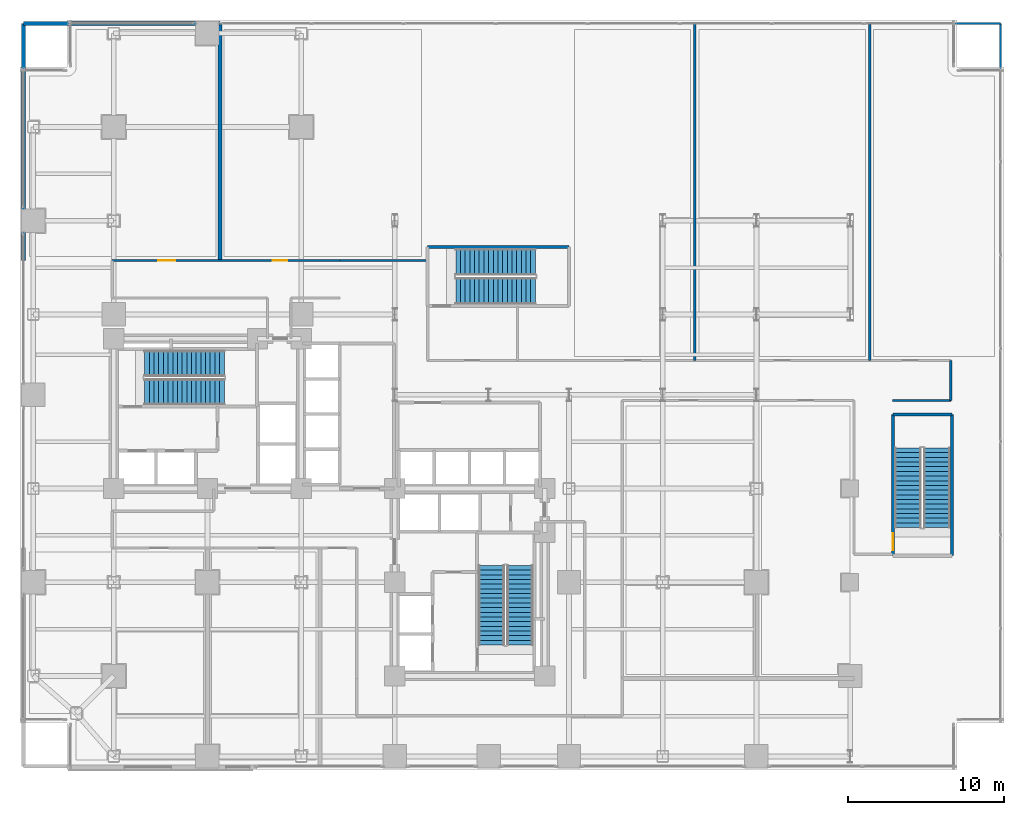
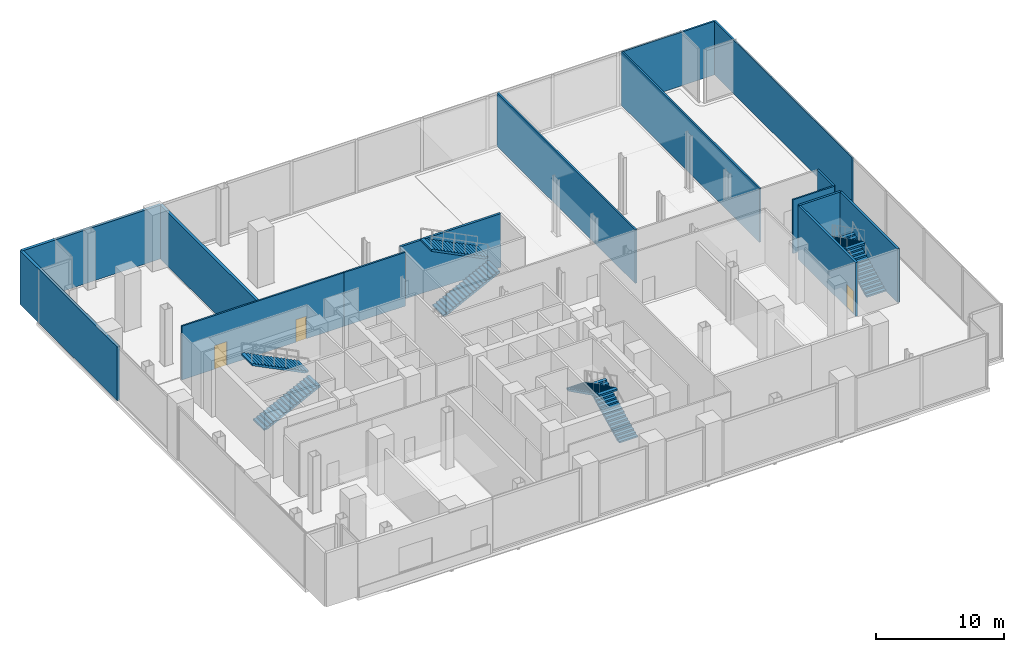
# One storey, part 23 of 27: 15 walls, 8 stair flights, 3 doors, 3 openings, 4 elements without a shape of their own.
"""IFC4 building model written with IfcOpenShell, lengths in metres."""

from ifc_helpers import new_model, si_unit, direction, frame, frame_2d, origin, place, context, subcontext, project, spatial, polyline, rectangle, outline, extrude, material, layer, layer_set, type_object, element, fill, aggregate, save


model = new_model("IFC4")

# Units and contexts
model_context = context("Model", 3, precision=1e-05, world=origin(), true_north=direction((0.0, 1.0)))
body_context = subcontext(model_context, "Body", "Model", "MODEL_VIEW")
ifc_project = project(units=[si_unit("LENGTHUNIT", "METRE"), si_unit("AREAUNIT", "SQUARE_METRE"), si_unit("VOLUMEUNIT", "CUBIC_METRE"), si_unit("PLANEANGLEUNIT", "RADIAN"), si_unit("MASSUNIT", "GRAM", prefix="KILO"), si_unit("THERMODYNAMICTEMPERATUREUNIT", "KELVIN"), si_unit("POWERUNIT", "WATT")], contexts=[model_context])

# Site, building, storey
site_placement = place(None, origin())
site = spatial("IfcSite", under=ifc_project, at=site_placement, CompositionType="ELEMENT")
building_placement = place(site_placement, origin())
building = spatial("IfcBuilding", under=site, at=building_placement, Name="Svarakhadi Broadcast Tower", CompositionType="ELEMENT")
storey_placement = place(building_placement, frame((0.0, 0.0, 5.699951171875)))
storey = spatial("IfcBuildingStorey", under=building, at=storey_placement, Name="L01", CompositionType="ELEMENT", Elevation=5.699951171875)

# Walls
ifc_material_1 = material(Name="Double-Stud Acoustic Studio Partition STC-62", Category="gypsum")
ifc_layer_1 = layer(ifc_material_1, 0.25)
ifc_layer_set_1 = layer_set([ifc_layer_1], Name="Double-Stud Acoustic Studio Partition STC-62")
wall_type_1 = type_object("IfcWallType", Name="Wall_Acoust_250", PredefinedType="PARTITIONING", material=ifc_layer_set_1)
wall_1_placement = place(storey_placement, frame((0.219970703125, 47.780029296875, 0.0), z_axis=(0.0, 0.0, 1.0), x_axis=(1.0, 0.0, 0.0)))
element("IfcWall", 1, at=wall_1_placement, inside=storey, type_object=wall_type_1, Name="L01 L01 Television Drama Studio B Wall", PredefinedType="PARTITIONING", context=body_context, shape_type="SweptSolid", body=[
    extrude(rectangle(XDim=12.580078125, YDim=0.25, at=frame_2d((6.2900390625, 0.0))), origin(), (0.0, 0.0, 1.0), 5.125),
])
for number, where, z_axis, x_axis, name in (
    (2, (0.219970703125, 32.60009765625, 0.0), (0.0, 0.0, 1.0), (0.0, 1.0, 0.0), "L01 L01 Television Drama Studio B Wall"),
    (3, (12.800048828125, 32.60009765625, 0.0), (0.0, 0.0, 1.0), (0.0, 1.0, 0.0), "L01 L01 Television Drama Studio B Wall"),
):
    element("IfcWall", number, at=place(storey_placement, frame(where, z_axis=z_axis, x_axis=x_axis)), inside=storey, type_object=wall_type_1, Name=name, PredefinedType="PARTITIONING", context=body_context, shape_type="SweptSolid", body=[
        extrude(rectangle(XDim=15.179931640625, YDim=0.25, at=frame_2d((7.58984375, 0.0))), origin(), (0.0, 0.0, 1.0), 5.125),
    ])

# Wall, openings, doors
ifc_material_2 = material(Name="Autoclaved Aerated Concrete Blockwork 150 mm", Category="masonry")
ifc_layer_2 = layer(ifc_material_2, 0.14990234375)
ifc_layer_set_2 = layer_set([ifc_layer_2], Name="Autoclaved Aerated Concrete Blockwork 150 mm")
wall_type_2 = type_object("IfcWallType", Name="Wall_Part_150", PredefinedType="PARTITIONING", material=ifc_layer_set_2)
wall_2_placement = place(storey_placement, frame((5.89990234375, 32.60009765625, 0.0), z_axis=(0.0, 0.0, 1.0), x_axis=(1.0, 0.0, 0.0)))
wall_2 = element("IfcWall", 4, at=wall_2_placement, inside=storey, type_object=wall_type_2, Name="L01 Podium Gallery Wall", PredefinedType="PARTITIONING", context=body_context, shape_type="SweptSolid", body=[
    extrude(rectangle(XDim=14.60009765625, YDim=0.14990234375, at=frame_2d((7.300048828125, 0.0))), origin(), (0.0, 0.0, 1.0), 5.125),
])
opening_1_placement = place(wall_2_placement, frame((2.949951171875, 0.0, 0.0)))
opening_1 = element("IfcOpeningElement", 5, at=opening_1_placement, cuts=wall_2, Name="Opening D-11", PredefinedType="OPENING", context=body_context, shape_type="SweptSolid", body=[
    extrude(rectangle(XDim=1.10009765625, YDim=2.25, at=frame_2d((0.550048828125, 1.125))), frame((0.0, 0.0849609375, 0.0), z_axis=(0.0, -1.0, 0.0), x_axis=(1.0, 0.0, 0.0)), (0.0, 0.0, 1.0), 0.169921875),
])
opening_2_placement = place(wall_2_placement, frame((10.27490234375, 0.0, 0.0)))
opening_2 = element("IfcOpeningElement", 6, at=opening_2_placement, cuts=wall_2, Name="Opening D-06", PredefinedType="OPENING", context=body_context, shape_type="SweptSolid", body=[
    extrude(rectangle(XDim=0.949951171875, YDim=2.14990234375, at=frame_2d((0.47509765625, 1.074951171875))), frame((0.0, 0.0849609375, 0.0), z_axis=(0.0, -1.0, 0.0), x_axis=(1.0, 0.0, 0.0)), (0.0, 0.0, 1.0), 0.169921875),
])
ifc_material_3 = material(Name="Solid-Core Teak Veneer Acoustic Timber Leaf", Category="wood")
door_type_1 = type_object("IfcDoorType", Name="Door_Acoust_D11", OperationType="SINGLE_SWING_RIGHT", PredefinedType="DOOR", material=ifc_material_3)
door_1_placement = place(opening_1_placement, origin())
door_1 = element("IfcDoor", 7, at=door_1_placement, inside=storey, type_object=door_type_1, Name="L01 L01 Television Drama Studio B Door", OperationType="SINGLE_SWING_RIGHT", OverallHeight=2.25, OverallWidth=1.10009765625, PredefinedType="DOOR", context=body_context, shape_type="SweptSolid", body=[
    extrude(rectangle(XDim=1.10009765625, YDim=2.25, at=frame_2d((0.550048828125, 1.125))), frame((0.0, 0.02490234375, 0.0), z_axis=(0.0, -1.0, 0.0), x_axis=(1.0, 0.0, 0.0)), (0.0, 0.0, 1.0), 0.050048828125),
])
fill(opening_1, door_1)
door_type_2 = type_object("IfcDoorType", Name="Door_Office_D06", OperationType="SINGLE_SWING_LEFT", PredefinedType="DOOR", material=ifc_material_3)
door_2_placement = place(opening_2_placement, origin())
door_2 = element("IfcDoor", 8, at=door_2_placement, inside=storey, type_object=door_type_2, Name="L01 L01 Scenic Prop Storage Room Door", OperationType="SINGLE_SWING_LEFT", OverallHeight=2.14990234375, OverallWidth=0.949951171875, PredefinedType="DOOR", context=body_context, shape_type="SweptSolid", body=[
    extrude(rectangle(XDim=0.949951171875, YDim=2.14990234375, at=frame_2d((0.47509765625, 1.074951171875))), frame((0.0, 0.02490234375, 0.0), z_axis=(0.0, -1.0, 0.0), x_axis=(1.0, 0.0, 0.0)), (0.0, 0.0, 1.0), 0.050048828125),
])
fill(opening_2, door_2)

# Walls
wall_3_placement = place(storey_placement, frame((20.5, 32.60009765625, 0.0), z_axis=(0.0, 0.0, 1.0), x_axis=(1.0, 0.0, 0.0)))
element("IfcWall", 9, at=wall_3_placement, inside=storey, type_object=wall_type_2, Name="L01 Podium Gallery Wall", PredefinedType="PARTITIONING", context=body_context, shape_type="SweptSolid", body=[
    extrude(rectangle(XDim=5.550048828125, YDim=0.14990234375, at=frame_2d((2.77490234375, 0.0))), origin(), (0.0, 0.0, 1.0), 5.125),
])
wall_4_placement = place(storey_placement, frame((59.60009765625, 26.199951171875, 0.0), z_axis=(0.0, 0.0, 1.0), x_axis=(0.0, -1.0, 0.0)))
element("IfcWall", 10, at=wall_4_placement, inside=storey, type_object=wall_type_2, Name="L01 Podium Gallery Wall", PredefinedType="PARTITIONING", context=body_context, shape_type="SweptSolid", body=[
    extrude(rectangle(XDim=2.56005859375, YDim=0.14990234375, at=frame_2d((1.280029296875, 0.0))), origin(), (0.0, 0.0, 1.0), 5.125),
])
wall_5_placement = place(storey_placement, frame((59.60009765625, 23.639892578125, 0.0), z_axis=(0.0, 0.0, 1.0), x_axis=(-1.0, 0.0, 0.0)))
element("IfcWall", 11, at=wall_5_placement, inside=storey, type_object=wall_type_2, Name="L01 Podium Gallery Wall", PredefinedType="PARTITIONING", context=body_context, shape_type="SweptSolid", body=[
    extrude(rectangle(XDim=3.75, YDim=0.14990234375, at=frame_2d((1.875, 0.0))), origin(), (0.0, 0.0, 1.0), 5.125),
])
for number, where, z_axis, x_axis, name in (
    (12, (43.199951171875, 26.199951171875, 0.0), (0.0, 0.0, 1.0), (0.0, 1.0, 0.0), "L01 L01 Satellite Ingest and Playout Office Wall"),
    (13, (54.39990234375, 26.199951171875, 0.0), (0.0, 0.0, 1.0), (0.0, 1.0, 0.0), "L01 L01 Editorial Conference Room Wall"),
):
    element("IfcWall", number, at=place(storey_placement, frame(where, z_axis=z_axis, x_axis=x_axis)), inside=storey, type_object=wall_type_2, Name=name, PredefinedType="PARTITIONING", context=body_context, shape_type="SweptSolid", body=[
        extrude(rectangle(XDim=21.580078125, YDim=0.14990234375, at=frame_2d((10.7900390625, 0.0))), origin(), (0.0, 0.0, 1.0), 5.125),
    ])
wall_6_placement = place(storey_placement, frame((54.39990234375, 47.780029296875, 0.0), z_axis=(0.0, 0.0, 1.0), x_axis=(1.0, 0.0, 0.0)))
element("IfcWall", 14, at=wall_6_placement, inside=storey, type_object=wall_type_2, Name="L01 L01 Broadcast Technical Operations Office Wall", PredefinedType="PARTITIONING", context=body_context, shape_type="SweptSolid", body=[
    extrude(rectangle(XDim=8.380126953125, YDim=0.14990234375, at=frame_2d((4.18994140625, 0.0))), origin(), (0.0, 0.0, 1.0), 5.125),
])
wall_7_placement = place(storey_placement, frame((62.780029296875, 26.199951171875, 0.0), z_axis=(0.0, 0.0, 1.0), x_axis=(0.0, 1.0, 0.0)))
element("IfcWall", 15, at=wall_7_placement, inside=storey, type_object=wall_type_2, Name="L01 L01 Broadcast Technical Operations Office Wall", PredefinedType="PARTITIONING", context=body_context, shape_type="SweptSolid", body=[
    extrude(rectangle(XDim=21.580078125, YDim=0.14990234375, at=frame_2d((10.7900390625, 0.0))), origin(), (0.0, 0.0, 1.0), 5.125),
])
ifc_material_4 = material(Name="Concrete C50/60 (IS 456 M60)", Category="concrete")
ifc_layer_3 = layer(ifc_material_4, 0.199951171875)
ifc_layer_set_3 = layer_set([ifc_layer_3], Name="Concrete C50/60 (IS 456 M60)")
wall_type_3 = type_object("IfcWallType", Name="Wall_Shear_200", PredefinedType="SHEAR", material=ifc_layer_set_3)
wall_8_placement = place(storey_placement, frame((26.10009765625, 33.4599609375, 0.0), z_axis=(0.0, 0.0, 1.0), x_axis=(1.0, 0.0, 0.0)))
element("IfcWall", 16, at=wall_8_placement, inside=storey, type_object=wall_type_3, Name="L01 Stair ST-03 North RC Shaft Wall", PredefinedType="SHEAR", context=body_context, shape_type="SweptSolid", body=[
    extrude(rectangle(XDim=9.0498046875, YDim=0.199951171875, at=frame_2d((4.52490234375, 0.0))), origin(), (0.0, 0.0, 1.0), 5.125),
])

# Wall, opening, door
wall_9_placement = place(storey_placement, frame((55.89990234375, 13.699951171875, 0.0), z_axis=(0.0, 0.0, 1.0), x_axis=(0.0, 1.0, 0.0)))
wall_9 = element("IfcWall", 17, at=wall_9_placement, inside=storey, type_object=wall_type_3, Name="L01 Stair ST-04 West RC Shaft Wall", PredefinedType="SHEAR", context=body_context, shape_type="SweptSolid", body=[
    extrude(rectangle(XDim=9.050048828125, YDim=0.199951171875, at=frame_2d((4.52490234375, 0.0))), origin(), (0.0, 0.0, 1.0), 5.125),
])
opening_3_placement = place(wall_9_placement, frame((0.35009765625, 0.0, 0.0)))
opening_3 = element("IfcOpeningElement", 18, at=opening_3_placement, cuts=wall_9, Name="Opening D-02", PredefinedType="OPENING", context=body_context, shape_type="SweptSolid", body=[
    extrude(rectangle(XDim=1.10009765625, YDim=2.199951171875, at=frame_2d((0.550048828125, 1.10009765625))), frame((0.0, 0.10986328125, 0.0), z_axis=(0.0, -1.0, 0.0), x_axis=(1.0, 0.0, 0.0)), (0.0, 0.0, 1.0), 0.219970703125),
])
ifc_material_5 = material(Name="Galvanised Powder-Coated Fire-Rated Steel Leaf", Category="steel")
door_type_3 = type_object("IfcDoorType", Name="Door_Stair_D02", OperationType="SINGLE_SWING_RIGHT", PredefinedType="DOOR", material=ifc_material_5)
door_3_placement = place(opening_3_placement, origin())
door_3 = element("IfcDoor", 19, at=door_3_placement, inside=storey, type_object=door_type_3, Name="L01 Podium East Stair ST-04 Fire Door", OperationType="SINGLE_SWING_RIGHT", OverallHeight=2.199951171875, OverallWidth=1.10009765625, PredefinedType="DOOR", context=body_context, shape_type="SweptSolid", body=[
    extrude(rectangle(XDim=1.10009765625, YDim=2.199951171875, at=frame_2d((0.550048828125, 1.10009765625))), frame((0.0, 0.02490234375, 0.0), z_axis=(0.0, -1.0, 0.0), x_axis=(1.0, 0.0, 0.0)), (0.0, 0.0, 1.0), 0.050048828125),
])
fill(opening_3, door_3)

# Walls
wall_10_placement = place(storey_placement, frame((59.659912109375, 13.699951171875, 0.0), z_axis=(0.0, 0.0, 1.0), x_axis=(0.0, 1.0, 0.0)))
element("IfcWall", 20, at=wall_10_placement, inside=storey, type_object=wall_type_3, Name="L01 Stair ST-04 East RC Shaft Wall", PredefinedType="SHEAR", context=body_context, shape_type="SweptSolid", body=[
    extrude(rectangle(XDim=9.050048828125, YDim=0.199951171875, at=frame_2d((4.52490234375, 0.0))), origin(), (0.0, 0.0, 1.0), 5.125),
])
wall_11_placement = place(storey_placement, frame((55.89990234375, 22.75, 0.0), z_axis=(0.0, 0.0, 1.0), x_axis=(1.0, 0.0, 0.0)))
element("IfcWall", 21, at=wall_11_placement, inside=storey, type_object=wall_type_3, Name="L01 Stair ST-04 North RC Shaft Wall", PredefinedType="SHEAR", context=body_context, shape_type="SweptSolid", body=[
    extrude(rectangle(XDim=3.760009765625, YDim=0.199951171875, at=frame_2d((1.8798828125, 0.0))), origin(), (0.0, 0.0, 1.0), 5.125),
])

# Stair, stair flights
ifc_material_6 = material(Name="Concrete C40/50 (IS 456 M50)", Category="concrete")
stair_type_1 = type_object("IfcStairType", Name="Stair_Exit_Core", PredefinedType="HALF_TURN_STAIR", material=ifc_material_6)
stair_1_placement = place(storey_placement, origin())
stair_1 = element("IfcStair", 22, at=stair_1_placement, inside=storey, type_object=stair_type_1, Name="L01 West Core Protected Exit Stair ST-01", PredefinedType="HALF_TURN_STAIR")
stair_flight_type_1 = type_object("IfcStairFlightType", Name="Flight_RC_1680", PredefinedType="STRAIGHT", material=ifc_material_6)
stair_flight_1_placement = place(storey_placement, frame((7.97998046875, 24.18994140625, 0.0), z_axis=(0.0, 0.0, 1.0), x_axis=(1.0, 0.0, 0.0)))
stair_flight_1 = element("IfcStairFlight", 23, at=stair_flight_1_placement, type_object=stair_flight_type_1, Name="ST-01 flight 1", NumberOfRisers=18, NumberOfTreads=17, PredefinedType="STRAIGHT", RiserHeight=0.15, TreadLength=0.3, context=body_context, shape_type="SweptSolid", body=[
    extrude(outline(polyline([(0.0, 0.0), (0.0, 0.14990234375), (0.300048828125, 0.14990234375), (0.300048828125, 0.300048828125), (0.60009765625, 0.300048828125), (0.60009765625, 0.449951171875), (0.89990234375, 0.449951171875), (0.89990234375, 0.60009765625), (1.199951171875, 0.60009765625), (1.199951171875, 0.75), (1.5, 0.75), (1.5, 0.89990234375), (1.800048828125, 0.89990234375), (1.800048828125, 1.050048828125), (2.10009765625, 1.050048828125), (2.10009765625, 1.199951171875), (2.39990234375, 1.199951171875), (2.39990234375, 1.35009765625), (2.699951171875, 1.35009765625), (2.699951171875, 1.5), (3.0, 1.5), (3.0, 1.64990234375), (3.300048828125, 1.64990234375), (3.300048828125, 1.800048828125), (3.60009765625, 1.800048828125), (3.60009765625, 1.949951171875), (3.89990234375, 1.949951171875), (3.89990234375, 2.10009765625), (4.199951171875, 2.10009765625), (4.199951171875, 2.25), (4.5, 2.25), (4.5, 2.39990234375), (4.800048828125, 2.39990234375), (4.800048828125, 2.550048828125), (5.10009765625, 2.550048828125), (5.10009765625, 2.699951171875), (5.10009765625, 2.38232421875), (0.335205078125, 0.0), (0.0, 0.0)])), frame((0.0, 0.830078125, 0.0), z_axis=(0.0, -1.0, 0.0), x_axis=(1.0, 0.0, 0.0)), (0.0, 0.0, 1.0), 1.659912109375),
])
stair_flight_2_placement = place(storey_placement, frame((13.080078125, 26.010009765625, 2.699951171875), z_axis=(0.0, 0.0, 1.0), x_axis=(-1.0, 0.0, 0.0)))
stair_flight_2 = element("IfcStairFlight", 24, at=stair_flight_2_placement, type_object=stair_flight_type_1, Name="ST-01 flight 2", NumberOfRisers=18, NumberOfTreads=17, PredefinedType="STRAIGHT", RiserHeight=0.15, TreadLength=0.3, context=body_context, shape_type="SweptSolid", body=[
    extrude(outline(polyline([(0.0, 0.0), (0.0, 0.14990234375), (0.300048828125, 0.14990234375), (0.300048828125, 0.300048828125), (0.60009765625, 0.300048828125), (0.60009765625, 0.449951171875), (0.89990234375, 0.449951171875), (0.89990234375, 0.60009765625), (1.199951171875, 0.60009765625), (1.199951171875, 0.75), (1.5, 0.75), (1.5, 0.89990234375), (1.800048828125, 0.89990234375), (1.800048828125, 1.050048828125), (2.10009765625, 1.050048828125), (2.10009765625, 1.199951171875), (2.39990234375, 1.199951171875), (2.39990234375, 1.35009765625), (2.699951171875, 1.35009765625), (2.699951171875, 1.5), (3.0, 1.5), (3.0, 1.64990234375), (3.300048828125, 1.64990234375), (3.300048828125, 1.800048828125), (3.60009765625, 1.800048828125), (3.60009765625, 1.949951171875), (3.89990234375, 1.949951171875), (3.89990234375, 2.10009765625), (4.199951171875, 2.10009765625), (4.199951171875, 2.25), (4.5, 2.25), (4.5, 2.39990234375), (4.800048828125, 2.39990234375), (4.800048828125, 2.550048828125), (5.10009765625, 2.550048828125), (5.10009765625, 2.699951171875), (5.10009765625, 2.38232421875), (0.335205078125, 0.0), (0.0, 0.0)])), frame((0.0, 0.830078125, 0.0), z_axis=(0.0, -1.0, 0.0), x_axis=(1.0, 0.0, 0.0)), (0.0, 0.0, 1.0), 1.659912109375),
])
aggregate(stair_1, [stair_flight_1, stair_flight_2])

stair_2_placement = place(storey_placement, origin())
stair_2 = element("IfcStair", 25, at=stair_2_placement, inside=storey, type_object=stair_type_1, Name="L01 East Core Protected Exit Stair ST-02", PredefinedType="HALF_TURN_STAIR")
stair_flight_3_placement = place(storey_placement, frame((32.010009765625, 7.97998046875, 0.0), z_axis=(0.0, 0.0, 1.0), x_axis=(0.0, 1.0, 0.0)))
stair_flight_3 = element("IfcStairFlight", 26, at=stair_flight_3_placement, type_object=stair_flight_type_1, Name="ST-02 flight 1", NumberOfRisers=18, NumberOfTreads=17, PredefinedType="STRAIGHT", RiserHeight=0.15, TreadLength=0.3, context=body_context, shape_type="SweptSolid", body=[
    extrude(outline(polyline([(0.0, 0.0), (0.0, 0.14990234375), (0.300048828125, 0.14990234375), (0.300048828125, 0.300048828125), (0.60009765625, 0.300048828125), (0.60009765625, 0.449951171875), (0.89990234375, 0.449951171875), (0.89990234375, 0.60009765625), (1.199951171875, 0.60009765625), (1.199951171875, 0.75), (1.5, 0.75), (1.5, 0.89990234375), (1.800048828125, 0.89990234375), (1.800048828125, 1.050048828125), (2.10009765625, 1.050048828125), (2.10009765625, 1.199951171875), (2.39990234375, 1.199951171875), (2.39990234375, 1.35009765625), (2.699951171875, 1.35009765625), (2.699951171875, 1.5), (3.0, 1.5), (3.0, 1.64990234375), (3.300048828125, 1.64990234375), (3.300048828125, 1.800048828125), (3.60009765625, 1.800048828125), (3.60009765625, 1.949951171875), (3.89990234375, 1.949951171875), (3.89990234375, 2.10009765625), (4.199951171875, 2.10009765625), (4.199951171875, 2.25), (4.5, 2.25), (4.5, 2.39990234375), (4.800048828125, 2.39990234375), (4.800048828125, 2.550048828125), (5.10009765625, 2.550048828125), (5.10009765625, 2.699951171875), (5.10009765625, 2.38232421875), (0.335205078125, 0.0), (0.0, 0.0)])), frame((0.0, 0.830078125, 0.0), z_axis=(0.0, -1.0, 0.0), x_axis=(1.0, 0.0, 0.0)), (0.0, 0.0, 1.0), 1.659912109375),
])
stair_flight_4_placement = place(storey_placement, frame((30.18994140625, 13.080078125, 2.699951171875), z_axis=(0.0, 0.0, 1.0), x_axis=(0.0, -1.0, 0.0)))
stair_flight_4 = element("IfcStairFlight", 27, at=stair_flight_4_placement, type_object=stair_flight_type_1, Name="ST-02 flight 2", NumberOfRisers=18, NumberOfTreads=17, PredefinedType="STRAIGHT", RiserHeight=0.15, TreadLength=0.3, context=body_context, shape_type="SweptSolid", body=[
    extrude(outline(polyline([(0.0, 0.0), (0.0, 0.14990234375), (0.300048828125, 0.14990234375), (0.300048828125, 0.300048828125), (0.60009765625, 0.300048828125), (0.60009765625, 0.449951171875), (0.89990234375, 0.449951171875), (0.89990234375, 0.60009765625), (1.199951171875, 0.60009765625), (1.199951171875, 0.75), (1.5, 0.75), (1.5, 0.89990234375), (1.800048828125, 0.89990234375), (1.800048828125, 1.050048828125), (2.10009765625, 1.050048828125), (2.10009765625, 1.199951171875), (2.39990234375, 1.199951171875), (2.39990234375, 1.35009765625), (2.699951171875, 1.35009765625), (2.699951171875, 1.5), (3.0, 1.5), (3.0, 1.64990234375), (3.300048828125, 1.64990234375), (3.300048828125, 1.800048828125), (3.60009765625, 1.800048828125), (3.60009765625, 1.949951171875), (3.89990234375, 1.949951171875), (3.89990234375, 2.10009765625), (4.199951171875, 2.10009765625), (4.199951171875, 2.25), (4.5, 2.25), (4.5, 2.39990234375), (4.800048828125, 2.39990234375), (4.800048828125, 2.550048828125), (5.10009765625, 2.550048828125), (5.10009765625, 2.699951171875), (5.10009765625, 2.38232421875), (0.335205078125, 0.0), (0.0, 0.0)])), frame((0.0, 0.830078125, 0.0), z_axis=(0.0, -1.0, 0.0), x_axis=(1.0, 0.0, 0.0)), (0.0, 0.0, 1.0), 1.659912109375),
])
aggregate(stair_2, [stair_flight_3, stair_flight_4])

stair_type_2 = type_object("IfcStairType", Name="Stair_Exit_Pod", PredefinedType="HALF_TURN_STAIR", material=ifc_material_6)
stair_3_placement = place(storey_placement, origin())
stair_3 = element("IfcStair", 28, at=stair_3_placement, inside=storey, type_object=stair_type_2, Name="L01 Podium Concourse Broadcast Exit Stair ST-03", PredefinedType="HALF_TURN_STAIR")
stair_flight_type_2 = type_object("IfcStairFlightType", Name="Flight_RC_1800", PredefinedType="STRAIGHT", material=ifc_material_6)
stair_flight_5_placement = place(storey_placement, frame((27.89990234375, 30.64990234375, 0.0), z_axis=(0.0, 0.0, 1.0), x_axis=(1.0, 0.0, 0.0)))
stair_flight_5 = element("IfcStairFlight", 29, at=stair_flight_5_placement, type_object=stair_flight_type_2, Name="ST-03 flight 1", NumberOfRisers=18, NumberOfTreads=17, PredefinedType="STRAIGHT", RiserHeight=0.15, TreadLength=0.3, context=body_context, shape_type="SweptSolid", body=[
    extrude(outline(polyline([(0.0, 0.0), (0.0, 0.14990234375), (0.300048828125, 0.14990234375), (0.300048828125, 0.300048828125), (0.60009765625, 0.300048828125), (0.60009765625, 0.449951171875), (0.89990234375, 0.449951171875), (0.89990234375, 0.60009765625), (1.199951171875, 0.60009765625), (1.199951171875, 0.75), (1.5, 0.75), (1.5, 0.89990234375), (1.800048828125, 0.89990234375), (1.800048828125, 1.050048828125), (2.10009765625, 1.050048828125), (2.10009765625, 1.199951171875), (2.39990234375, 1.199951171875), (2.39990234375, 1.35009765625), (2.699951171875, 1.35009765625), (2.699951171875, 1.5), (3.0, 1.5), (3.0, 1.64990234375), (3.300048828125, 1.64990234375), (3.300048828125, 1.800048828125), (3.60009765625, 1.800048828125), (3.60009765625, 1.949951171875), (3.89990234375, 1.949951171875), (3.89990234375, 2.10009765625), (4.199951171875, 2.10009765625), (4.199951171875, 2.25), (4.5, 2.25), (4.5, 2.39990234375), (4.800048828125, 2.39990234375), (4.800048828125, 2.550048828125), (5.10009765625, 2.550048828125), (5.10009765625, 2.699951171875), (5.10009765625, 2.38232421875), (0.335205078125, 0.0), (0.0, 0.0)])), frame((0.0, 0.85009765625, 0.0), z_axis=(0.0, -1.0, 0.0), x_axis=(1.0, 0.0, 0.0)), (0.0, 0.0, 1.0), 1.699951171875),
])
stair_flight_6_placement = place(storey_placement, frame((33.0, 32.510009765625, 2.699951171875), z_axis=(0.0, 0.0, 1.0), x_axis=(-1.0, 0.0, 0.0)))
stair_flight_6 = element("IfcStairFlight", 30, at=stair_flight_6_placement, type_object=stair_flight_type_2, Name="ST-03 flight 2", NumberOfRisers=18, NumberOfTreads=17, PredefinedType="STRAIGHT", RiserHeight=0.15, TreadLength=0.3, context=body_context, shape_type="SweptSolid", body=[
    extrude(outline(polyline([(0.0, 0.0), (0.0, 0.14990234375), (0.300048828125, 0.14990234375), (0.300048828125, 0.300048828125), (0.60009765625, 0.300048828125), (0.60009765625, 0.449951171875), (0.89990234375, 0.449951171875), (0.89990234375, 0.60009765625), (1.199951171875, 0.60009765625), (1.199951171875, 0.75), (1.5, 0.75), (1.5, 0.89990234375), (1.800048828125, 0.89990234375), (1.800048828125, 1.050048828125), (2.10009765625, 1.050048828125), (2.10009765625, 1.199951171875), (2.39990234375, 1.199951171875), (2.39990234375, 1.35009765625), (2.699951171875, 1.35009765625), (2.699951171875, 1.5), (3.0, 1.5), (3.0, 1.64990234375), (3.300048828125, 1.64990234375), (3.300048828125, 1.800048828125), (3.60009765625, 1.800048828125), (3.60009765625, 1.949951171875), (3.89990234375, 1.949951171875), (3.89990234375, 2.10009765625), (4.199951171875, 2.10009765625), (4.199951171875, 2.25), (4.5, 2.25), (4.5, 2.39990234375), (4.800048828125, 2.39990234375), (4.800048828125, 2.550048828125), (5.10009765625, 2.550048828125), (5.10009765625, 2.699951171875), (5.10009765625, 2.38232421875), (0.335205078125, 0.0), (0.0, 0.0)])), frame((0.0, 0.85009765625, 0.0), z_axis=(0.0, -1.0, 0.0), x_axis=(1.0, 0.0, 0.0)), (0.0, 0.0, 1.0), 1.699951171875),
])
aggregate(stair_3, [stair_flight_5, stair_flight_6])

stair_4_placement = place(storey_placement, origin())
stair_4 = element("IfcStair", 31, at=stair_4_placement, inside=storey, type_object=stair_type_2, Name="L01 Podium East Broadcast Exit Stair ST-04", PredefinedType="HALF_TURN_STAIR")
stair_flight_7_placement = place(storey_placement, frame((58.7099609375, 15.5, 0.0), z_axis=(0.0, 0.0, 1.0), x_axis=(0.0, 1.0, 0.0)))
stair_flight_7 = element("IfcStairFlight", 32, at=stair_flight_7_placement, type_object=stair_flight_type_2, Name="ST-04 flight 1", NumberOfRisers=18, NumberOfTreads=17, PredefinedType="STRAIGHT", RiserHeight=0.15, TreadLength=0.3, context=body_context, shape_type="SweptSolid", body=[
    extrude(outline(polyline([(0.0, 0.0), (0.0, 0.14990234375), (0.300048828125, 0.14990234375), (0.300048828125, 0.300048828125), (0.60009765625, 0.300048828125), (0.60009765625, 0.449951171875), (0.89990234375, 0.449951171875), (0.89990234375, 0.60009765625), (1.199951171875, 0.60009765625), (1.199951171875, 0.75), (1.5, 0.75), (1.5, 0.89990234375), (1.800048828125, 0.89990234375), (1.800048828125, 1.050048828125), (2.10009765625, 1.050048828125), (2.10009765625, 1.199951171875), (2.39990234375, 1.199951171875), (2.39990234375, 1.35009765625), (2.699951171875, 1.35009765625), (2.699951171875, 1.5), (3.0, 1.5), (3.0, 1.64990234375), (3.300048828125, 1.64990234375), (3.300048828125, 1.800048828125), (3.60009765625, 1.800048828125), (3.60009765625, 1.949951171875), (3.89990234375, 1.949951171875), (3.89990234375, 2.10009765625), (4.199951171875, 2.10009765625), (4.199951171875, 2.25), (4.5, 2.25), (4.5, 2.39990234375), (4.800048828125, 2.39990234375), (4.800048828125, 2.550048828125), (5.10009765625, 2.550048828125), (5.10009765625, 2.699951171875), (5.10009765625, 2.38232421875), (0.335205078125, 0.0), (0.0, 0.0)])), frame((0.0, 0.85009765625, 0.0), z_axis=(0.0, -1.0, 0.0), x_axis=(1.0, 0.0, 0.0)), (0.0, 0.0, 1.0), 1.699951171875),
])
stair_flight_8_placement = place(storey_placement, frame((56.85009765625, 20.60009765625, 2.699951171875), z_axis=(0.0, 0.0, 1.0), x_axis=(0.0, -1.0, 0.0)))
stair_flight_8 = element("IfcStairFlight", 33, at=stair_flight_8_placement, type_object=stair_flight_type_2, Name="ST-04 flight 2", NumberOfRisers=18, NumberOfTreads=17, PredefinedType="STRAIGHT", RiserHeight=0.15, TreadLength=0.3, context=body_context, shape_type="SweptSolid", body=[
    extrude(outline(polyline([(0.0, 0.0), (0.0, 0.14990234375), (0.300048828125, 0.14990234375), (0.300048828125, 0.300048828125), (0.60009765625, 0.300048828125), (0.60009765625, 0.449951171875), (0.89990234375, 0.449951171875), (0.89990234375, 0.60009765625), (1.199951171875, 0.60009765625), (1.199951171875, 0.75), (1.5, 0.75), (1.5, 0.89990234375), (1.800048828125, 0.89990234375), (1.800048828125, 1.050048828125), (2.10009765625, 1.050048828125), (2.10009765625, 1.199951171875), (2.39990234375, 1.199951171875), (2.39990234375, 1.35009765625), (2.699951171875, 1.35009765625), (2.699951171875, 1.5), (3.0, 1.5), (3.0, 1.64990234375), (3.300048828125, 1.64990234375), (3.300048828125, 1.800048828125), (3.60009765625, 1.800048828125), (3.60009765625, 1.949951171875), (3.89990234375, 1.949951171875), (3.89990234375, 2.10009765625), (4.199951171875, 2.10009765625), (4.199951171875, 2.25), (4.5, 2.25), (4.5, 2.39990234375), (4.800048828125, 2.39990234375), (4.800048828125, 2.550048828125), (5.10009765625, 2.550048828125), (5.10009765625, 2.699951171875), (5.10009765625, 2.38232421875), (0.335205078125, 0.0), (0.0, 0.0)])), frame((0.0, 0.85009765625, 0.0), z_axis=(0.0, -1.0, 0.0), x_axis=(1.0, 0.0, 0.0)), (0.0, 0.0, 1.0), 1.699951171875),
])
aggregate(stair_4, [stair_flight_7, stair_flight_8])

save(model, "model.ifc")
